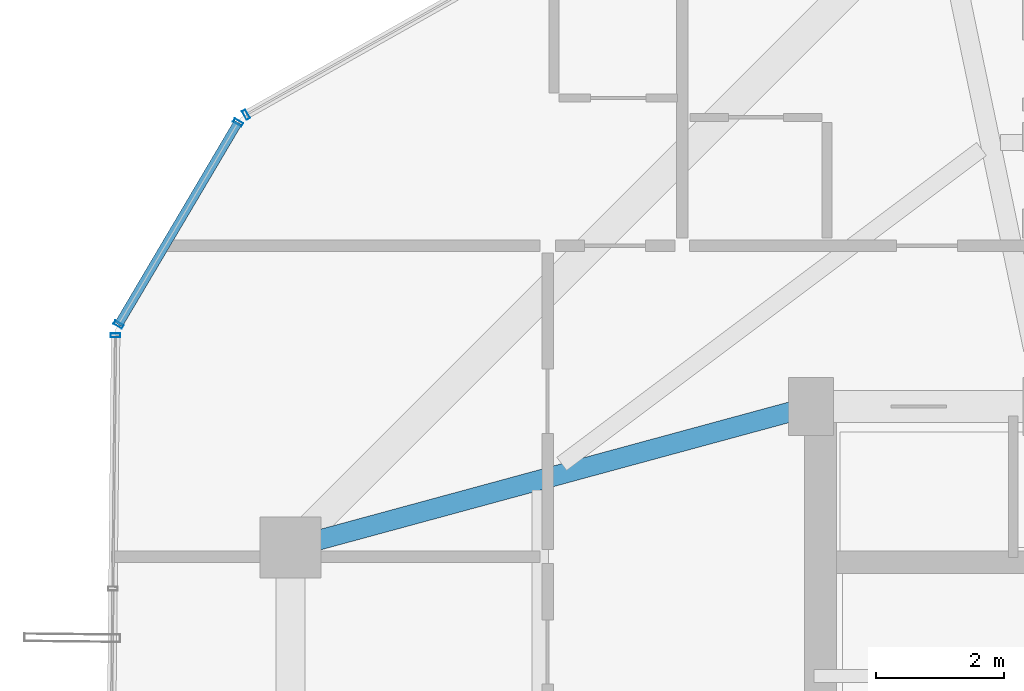
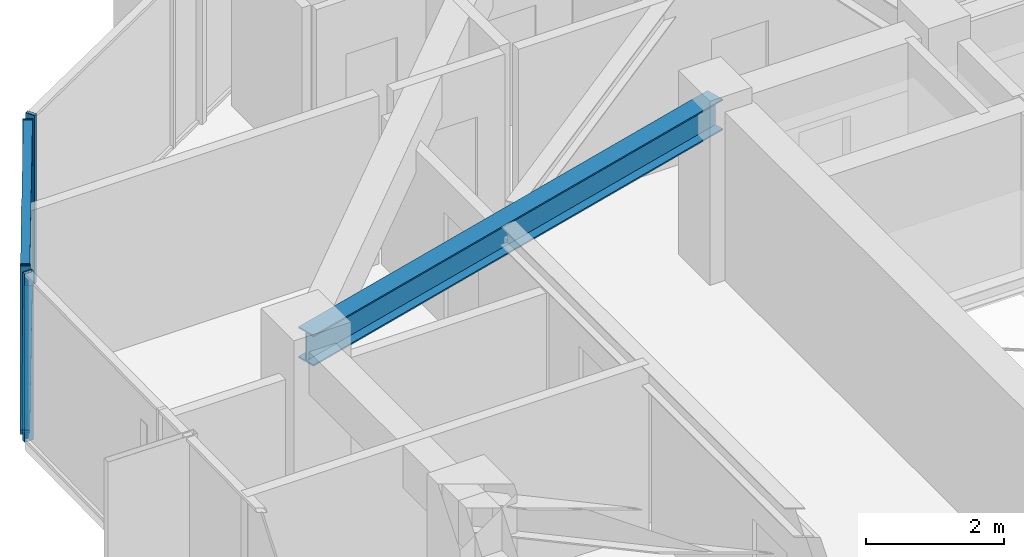
# One storey, part 14 of 30: 6 members, 1 beam, 3 elements without a shape of their own.
"""IFC4 building model written with IfcOpenShell, lengths in metres."""

import ifcopenshell
import ifcopenshell.guid

model = None  # the IFC model being written
_history = None  # IfcOwnerHistory: only IFC2X3 demands one
_inside = {}  # id of a spatial element -> (the spatial element, [elements in it])
_under = {}  # id of a project, library or spatial element -> (it, [spatial elements below it])
_declared = {}  # id of a project -> (the project, [libraries it declares])
_typed = {}  # id of a type object -> (the type object, [elements of that type])
_made_of = {}  # id of a material, layer set ... -> (it, [elements and type objects made of it])


def new_model(schema):
    """Start an empty IFC model of exactly this schema.

    Asked for "IFC4X3", IfcOpenShell would pick the latest addendum, in which some entities
    have other attributes; the version numbers below select the first issue.
    IFC2X3 requires an IfcOwnerHistory on every rooted entity: one is made here for all.
    """
    global model, _history
    if schema == "IFC4X3":
        model = ifcopenshell.file(schema_version=(4, 3, 0, 0))
    else:
        model = ifcopenshell.file(schema=schema)
    _inside.clear()
    _under.clear()
    _declared.clear()
    _typed.clear()
    _made_of.clear()
    _history = None
    if model.schema == "IFC2X3":
        org = make("IfcOrganization", Name="unknown")
        user = make(
            "IfcPersonAndOrganization",
            ThePerson=make("IfcPerson", FamilyName="unknown"),
            TheOrganization=org,
        )
        app = make(
            "IfcApplication",
            ApplicationDeveloper=org,
            Version="unknown",
            ApplicationFullName="unknown",
            ApplicationIdentifier="unknown",
        )
        _history = make(
            "IfcOwnerHistory",
            OwningUser=user,
            OwningApplication=app,
            ChangeAction="ADDED",
            CreationDate=0,
        )
    return model


def make(cls, **values):
    """One entity of the class cls with the attributes given. An attribute that is None is left unset."""
    return model.create_entity(
        cls, **{name: value for name, value in values.items() if value is not None}
    )


def rooted(cls, **values):
    """An entity with a GlobalId (a new one), such as an element, a storey or a relation."""
    return make(cls, GlobalId=ifcopenshell.guid.new(), OwnerHistory=_history, **values)


def si_unit(unit_type, name, prefix=None):
    """IfcSIUnit, for example si_unit("LENGTHUNIT", "METRE", prefix="MILLI")."""
    return make("IfcSIUnit", UnitType=unit_type, Prefix=prefix, Name=name)


def assignment(units):
    """IfcUnitAssignment: the units of a project."""
    return None if units is None else make("IfcUnitAssignment", Units=units)


def point(xyz):
    """IfcCartesianPoint."""
    return None if xyz is None else make("IfcCartesianPoint", Coordinates=xyz)


def direction(xyz):
    """IfcDirection."""
    return None if xyz is None else make("IfcDirection", DirectionRatios=xyz)


def frame(location, z_axis=None, x_axis=None):
    """IfcAxis2Placement3D, a coordinate frame: its origin and axes. An axis left out is left unset."""
    return make(
        "IfcAxis2Placement3D",
        Location=point(location),
        Axis=direction(z_axis),
        RefDirection=direction(x_axis),
    )


def frame_2d(location, x_axis=None):
    """IfcAxis2Placement2D, a coordinate frame in the plane: its origin and x axis."""
    return make(
        "IfcAxis2Placement2D", Location=point(location), RefDirection=direction(x_axis)
    )


def origin():
    """The frame at (0, 0, 0) with its axes left unset."""
    return frame((0.0, 0.0, 0.0))


def origin_2d():
    """The frame at (0, 0) in the plane with its x axis left unset."""
    return frame_2d((0.0, 0.0))


def place(relative_to, where):
    """IfcLocalPlacement: puts the frame where relative to a parent placement (None: the world)."""
    return make(
        "IfcLocalPlacement", PlacementRelTo=relative_to, RelativePlacement=where
    )


def context(
    kind, dimensions, precision=None, world=None, true_north=None, identifier=None
):
    """IfcGeometricRepresentationContext, for example the 3D "Model" context."""
    return make(
        "IfcGeometricRepresentationContext",
        ContextIdentifier=identifier,
        ContextType=kind,
        CoordinateSpaceDimension=dimensions,
        Precision=precision,
        WorldCoordinateSystem=world,
        TrueNorth=true_north,
    )


def subcontext(parent, identifier, kind, view, scale=None):
    """IfcGeometricRepresentationSubContext, for example "Body" below "Model"."""
    return make(
        "IfcGeometricRepresentationSubContext",
        ContextIdentifier=identifier,
        ContextType=kind,
        ParentContext=parent,
        TargetScale=scale,
        TargetView=view,
    )


def project(units=None, contexts=None):
    """IfcProject with its units and contexts."""
    return rooted(
        "IfcProject",
        Name="project",
        RepresentationContexts=contexts,
        UnitsInContext=assignment(units),
    )


def spatial(cls, under=None, at=None, **own):
    """A site, building, storey or space (cls), placed at a placement, below another one or the project."""
    s = rooted(cls, ObjectPlacement=at, **own)
    if under is not None:
        _under.setdefault(under.id(), (under, []))[1].append(s)
    return s


def profile(cls, at=None, kind="AREA", **sizes):
    """A parametric profile (cls). Its sizes go by their IFC names, for example OverallWidth=200.0."""
    return make(cls, ProfileType=kind, Position=at, **sizes)


def hollow_rectangle(**sizes):
    """IfcRectangleHollowProfileDef."""
    return profile("IfcRectangleHollowProfileDef", **sizes)


def i_section(**sizes):
    """IfcIShapeProfileDef."""
    return profile("IfcIShapeProfileDef", **sizes)


def extrude(swept, where, along, depth):
    """IfcExtrudedAreaSolid: the profile swept, set in the frame where, extruded along a direction by depth."""
    return make(
        "IfcExtrudedAreaSolid",
        SweptArea=swept,
        Position=where,
        ExtrudedDirection=direction(along),
        Depth=depth,
    )


def shape(context_of_items, identifier, shape_type, items):
    """IfcShapeRepresentation: the items that make up one representation, for example the "Body"."""
    return make(
        "IfcShapeRepresentation",
        ContextOfItems=context_of_items,
        RepresentationIdentifier=identifier,
        RepresentationType=shape_type,
        Items=items,
    )


def source(mapping_origin, context_of_items, identifier, shape_type, items):
    """IfcRepresentationMap: a shape defined once, which mapped items show again and again."""
    return make(
        "IfcRepresentationMap",
        MappingOrigin=mapping_origin,
        MappedRepresentation=shape(context_of_items, identifier, shape_type, items),
    )


def transform(
    local_origin,
    x_axis=None,
    y_axis=None,
    z_axis=None,
    scale=None,
    scale2=None,
    scale3=None,
    uniform=True,
):
    """IfcCartesianTransformationOperator3D, or its non-uniform kind. x_axis, y_axis, z_axis: its Axis1, 2, 3."""
    if uniform:
        return make(
            "IfcCartesianTransformationOperator3D",
            Axis1=direction(x_axis),
            Axis2=direction(y_axis),
            LocalOrigin=point(local_origin),
            Scale=scale,
            Axis3=direction(z_axis),
        )
    return make(
        "IfcCartesianTransformationOperator3DnonUniform",
        Axis1=direction(x_axis),
        Axis2=direction(y_axis),
        LocalOrigin=point(local_origin),
        Scale=scale,
        Axis3=direction(z_axis),
        Scale2=scale2,
        Scale3=scale3,
    )


def mapped(mapping_source, mapping_target):
    """IfcMappedItem: shows the shape of a source again, moved by a transform."""
    return make(
        "IfcMappedItem", MappingSource=mapping_source, MappingTarget=mapping_target
    )


def material(Name=None, Category=None):
    """IfcMaterial."""
    return make("IfcMaterial", Name=Name, Category=Category)


def layer(
    of_material, thickness, ventilated=None, Name=None, Category=None, Priority=None
):
    """IfcMaterialLayer: one layer of a wall or slab, of a material (None: an air gap)."""
    return make(
        "IfcMaterialLayer",
        Material=of_material,
        LayerThickness=thickness,
        IsVentilated=ventilated,
        Name=Name,
        Category=Category,
        Priority=Priority,
    )


def layer_set(layers, Name=None):
    """IfcMaterialLayerSet."""
    return make("IfcMaterialLayerSet", MaterialLayers=layers, LayerSetName=Name)


def material_profile(
    of_material, cross_section, Name=None, Category=None, Priority=None
):
    """IfcMaterialProfile: a cross section and its material."""
    return make(
        "IfcMaterialProfile",
        Name=Name,
        Material=of_material,
        Profile=cross_section,
        Priority=Priority,
        Category=Category,
    )


def profile_set(profiles, Name=None, composite=None):
    """IfcMaterialProfileSet."""
    return make(
        "IfcMaterialProfileSet",
        Name=Name,
        MaterialProfiles=profiles,
        CompositeProfile=composite,
    )


def made_of(thing, what):
    """Note that an element or type object is made of a material, layer set ...; save() writes the relation."""
    if what is not None:
        _made_of.setdefault(what.id(), (what, []))[1].append(thing)
    return thing


def type_object(cls, material=None, **own):
    """A type object (cls), such as IfcWallType, which elements share."""
    return made_of(rooted(cls, **own), material)


def element(
    cls,
    number,
    at=None,
    inside=None,
    cuts=None,
    type_object=None,
    material=None,
    context=None,
    identifier="Body",
    shape_type=None,
    held_by="IfcProductDefinitionShape",
    body=None,
    shapes=None,
    **own,
):
    """One element of the class cls, such as IfcWall. Its Tag is "e" and its number.

    at: its placement. inside: the storey or other place that contains it. cuts: it is an
    opening in that element (IfcRelVoidsElement). A single representation is given by context,
    identifier, shape_type and body (its items); several are given by shapes. held_by: the class
    of the entity that holds the representations. save() writes the other relations.
    """
    e = rooted(cls, Tag="e%d" % number, ObjectPlacement=at, **own)
    if body is not None:
        shapes = [shape(context, identifier, shape_type, body)]
    if shapes is not None:
        e.Representation = make(held_by, Representations=shapes)
    if inside is not None:
        _inside.setdefault(inside.id(), (inside, []))[1].append(e)
    if cuts is not None:
        rooted(
            "IfcRelVoidsElement", RelatingBuildingElement=cuts, RelatedOpeningElement=e
        )
    if type_object is not None:
        _typed.setdefault(type_object.id(), (type_object, []))[1].append(e)
    return made_of(e, material)


def aggregate(whole, parts):
    """IfcRelAggregates: a whole, such as a stair, and the parts it consists of."""
    return rooted("IfcRelAggregates", RelatingObject=whole, RelatedObjects=parts)


def save(model, path):
    """Write the relations noted so far, then the file.

    IfcRelAggregates (storeys below a building ...), IfcRelContainedInSpatialStructure (elements
    in a storey), IfcRelDefinesByType, IfcRelAssociatesMaterial and IfcRelDeclares: one each for
    every whole, place, type object, material and project.
    """
    for whole, parts in _under.values():
        aggregate(whole, parts)
    for where, things in _inside.values():
        rooted(
            "IfcRelContainedInSpatialStructure",
            RelatedElements=things,
            RelatingStructure=where,
        )
    for kind, things in _typed.values():
        rooted("IfcRelDefinesByType", RelatedObjects=things, RelatingType=kind)
    for what, things in _made_of.values():
        rooted("IfcRelAssociatesMaterial", RelatedObjects=things, RelatingMaterial=what)
    for by, libraries in _declared.values():
        rooted("IfcRelDeclares", RelatingContext=by, RelatedDefinitions=libraries)
    model.write(path)


model = new_model("IFC4")

# Units and contexts
model_context = context("Model", 3, precision=1e-05, world=origin(), true_north=direction((0.0, 1.0)))
body_context = subcontext(model_context, "Body", "Model", "MODEL_VIEW")
ifc_project = project(units=[si_unit("LENGTHUNIT", "METRE"), si_unit("AREAUNIT", "SQUARE_METRE"), si_unit("VOLUMEUNIT", "CUBIC_METRE"), si_unit("PLANEANGLEUNIT", "RADIAN"), si_unit("MASSUNIT", "GRAM", prefix="KILO")], contexts=[model_context])

# Site, building, storey
site_placement = place(None, origin())
site = spatial("IfcSite", under=ifc_project, at=site_placement, CompositionType="ELEMENT")
building_placement = place(site_placement, origin())
building = spatial("IfcBuilding", under=site, at=building_placement, Name="Veraguas Prism Commons", CompositionType="ELEMENT")
storey_placement = place(building_placement, frame((0.0, 0.0, 208.10009765625)))
storey = spatial("IfcBuildingStorey", under=building, at=storey_placement, Name="L59", CompositionType="ELEMENT", Elevation=208.10009765625)

# Beam
ifc_material_1 = material(Name="Steel ASTM A992 Grade 50", Category="steel")
ifc_material_profile_1 = material_profile(ifc_material_1, i_section(OverallWidth=0.31103515625, OverallDepth=0.5458984375, WebThickness=0.0146484375, FlangeThickness=0.023681640625, at=origin_2d()), Name="W530X165")
ifc_profile_set_1 = profile_set([ifc_material_profile_1], Name="Steel ASTM A992 Grade 50")
beam_type = type_object("IfcBeamType", Name="Zone 3 Radial Girder W530x165", PredefinedType="BEAM", material=ifc_profile_set_1)
beam_placement = place(storey_placement, frame((9.10009765625, 28.800048828125, 2.697021484375), z_axis=(0.965038506703, 0.262108146725, 0.0), x_axis=(-0.262108146725, 0.965038506703, 0.0)))
element("IfcBeam", 1, at=beam_placement, inside=storey, type_object=beam_type, Name="Radial Floor Girder L59-RD07", PredefinedType="BEAM", context=body_context, shape_type="SweptSolid", body=[
    extrude(i_section(OverallWidth=0.31103515625, OverallDepth=0.5458984375, WebThickness=0.0146484375, FlangeThickness=0.023681640625, at=origin_2d()), origin(), (0.0, 0.0, 1.0), 8.393310546875),
])

# Curtain wall, members
ifc_material_2 = material(Name="Anodised aluminium EN AW-6063 T6", Category="aluminium")
ifc_layer = layer(ifc_material_2, 0.14990234375, Name="Unitised Flush Curtain Wall Zone 3", Category="aluminium")
ifc_layer_set = layer_set([ifc_layer], Name="Anodised aluminium EN AW-6063 T6")
curtain_wall_type = type_object("IfcCurtainWallType", Name="Unitised Flush Curtain Wall Zone 3", PredefinedType="NOTDEFINED", material=ifc_layer_set)
curtain_wall_1_placement = place(storey_placement, origin())
curtain_wall_1 = element("IfcCurtainWall", 2, at=curtain_wall_1_placement, inside=storey, type_object=curtain_wall_type, Name="Chamfer Curtain Wall L59-C3", PredefinedType="NOTDEFINED")
ifc_material_profile_2 = material_profile(ifc_material_2, hollow_rectangle(XDim=0.054931640625, YDim=0.135009765625, WallThickness=0.0029296875, at=origin_2d()), Name="AL55X135X3")
ifc_profile_set_2 = profile_set([ifc_material_profile_2], Name="Anodised aluminium EN AW-6063 T6")
member_type_1 = type_object("IfcMemberType", Name="Curtain Wall Transom Standard AL 55x135x3", PredefinedType="USERDEFINED", material=ifc_profile_set_2)
shared_shape_1 = source(origin(), body_context, "Body", "SweptSolid", [
    extrude(hollow_rectangle(XDim=0.054931640625, YDim=0.135009765625, WallThickness=0.0029296875, at=origin_2d()), origin(), (0.0, 0.0, 1.0), 3.654541015625),
])
member_1_placement = place(storey_placement, frame((8.28076171875, 35.419189453125, 0.02734375), z_axis=(-0.509062383724, -0.860729626234, 0.0), x_axis=(0.0, 0.0, 1.0)))
member_1 = element("IfcMember", 3, at=member_1_placement, type_object=member_type_1, Name="CW-Z3 Transom 1", ObjectType="TRANSOM", PredefinedType="USERDEFINED", context=body_context, shape_type="MappedRepresentation", body=[
    mapped(shared_shape_1, transform((0.0, 0.0, 0.0), scale=1.0)),
])
member_2_placement = place(storey_placement, frame((8.28076171875, 35.419189453125, 2.9423828125), z_axis=(-0.509062383724, -0.860729626234, 0.0), x_axis=(0.0, 0.0, 1.0)))
member_2 = element("IfcMember", 4, at=member_2_placement, type_object=member_type_1, Name="CW-Z3 Transom 2", ObjectType="TRANSOM", PredefinedType="USERDEFINED", context=body_context, shape_type="MappedRepresentation", body=[
    mapped(shared_shape_1, transform((0.0, 0.0, 0.0), scale=1.0)),
])

# Curtain wall, member
curtain_wall_2_placement = place(storey_placement, origin())
curtain_wall_2 = element("IfcCurtainWall", 5, at=curtain_wall_2_placement, inside=storey, type_object=curtain_wall_type, Name="Tower Facade Curtain Wall L59-F2", PredefinedType="NOTDEFINED")
ifc_material_profile_3 = material_profile(ifc_material_2, hollow_rectangle(XDim=0.06005859375, YDim=0.14990234375, WallThickness=0.0029296875, at=origin_2d()), Name="AL60X150X3")
ifc_profile_set_3 = profile_set([ifc_material_profile_3], Name="Anodised aluminium EN AW-6063 T6")
member_type_2 = type_object("IfcMemberType", Name="Curtain Wall Mullion Upper AL 60x150x3", PredefinedType="MULLION", material=ifc_profile_set_3)
shared_shape_2 = source(origin(), body_context, "Body", "SweptSolid", [
    extrude(hollow_rectangle(XDim=0.06005859375, YDim=0.14990234375, WallThickness=0.0029296875, at=origin_2d()), origin(), (0.0, 0.0, 1.0), 2.969970703125),
])
member_3_placement = place(storey_placement, frame((8.405029296875, 35.540771484375, 0.0), z_axis=(0.0, 0.0, 1.0), x_axis=(-0.871215524692, -0.490900712502, 0.0)))
member_3 = element("IfcMember", 6, at=member_3_placement, type_object=member_type_2, Name="CW-Z3 Mullion 5", PredefinedType="MULLION", context=body_context, shape_type="MappedRepresentation", body=[
    mapped(shared_shape_2, transform((0.0, 0.0, 0.0), scale=1.0)),
])
aggregate(curtain_wall_2, [member_3])

curtain_wall_3_placement = place(storey_placement, origin())
curtain_wall_3 = element("IfcCurtainWall", 7, at=curtain_wall_3_placement, inside=storey, type_object=curtain_wall_type, Name="Tower Facade Curtain Wall L59-F3", PredefinedType="NOTDEFINED")
member_4_placement = place(storey_placement, frame((6.373779296875, 32.106201171875, 0.0), z_axis=(0.0, 0.0, 1.0), x_axis=(-0.010470038883, -0.999945187641, 0.0)))
member_4 = element("IfcMember", 8, at=member_4_placement, type_object=member_type_2, Name="CW-Z3 Mullion 1", PredefinedType="MULLION", context=body_context, shape_type="MappedRepresentation", body=[
    mapped(shared_shape_2, transform((0.0, 0.0, 0.0), scale=1.0)),
])
aggregate(curtain_wall_3, [member_4])

# Member
member_5_placement = place(storey_placement, frame((8.28076171875, 35.419189453125, 0.0), z_axis=(0.0, 0.0, 1.0), x_axis=(-0.509057940717, -0.860732253952, 0.0)))
member_5 = element("IfcMember", 9, at=member_5_placement, type_object=member_type_2, Name="CW-Z3 Mullion 1", PredefinedType="MULLION", context=body_context, shape_type="MappedRepresentation", body=[
    mapped(shared_shape_2, transform((0.0, 0.0, 0.0), scale=1.0)),
])

member_6_placement = place(storey_placement, frame((6.42041015625, 32.273681640625, 0.0), z_axis=(0.0, 0.0, 1.0), x_axis=(-0.509057940717, -0.860732253952, 0.0)))
member_6 = element("IfcMember", 10, at=member_6_placement, type_object=member_type_2, Name="CW-Z3 Mullion 2", PredefinedType="MULLION", context=body_context, shape_type="MappedRepresentation", body=[
    mapped(shared_shape_2, transform((0.0, 0.0, 0.0), scale=1.0)),
])

aggregate(curtain_wall_1, [member_5, member_6, member_1, member_2])

save(model, "model.ifc")
